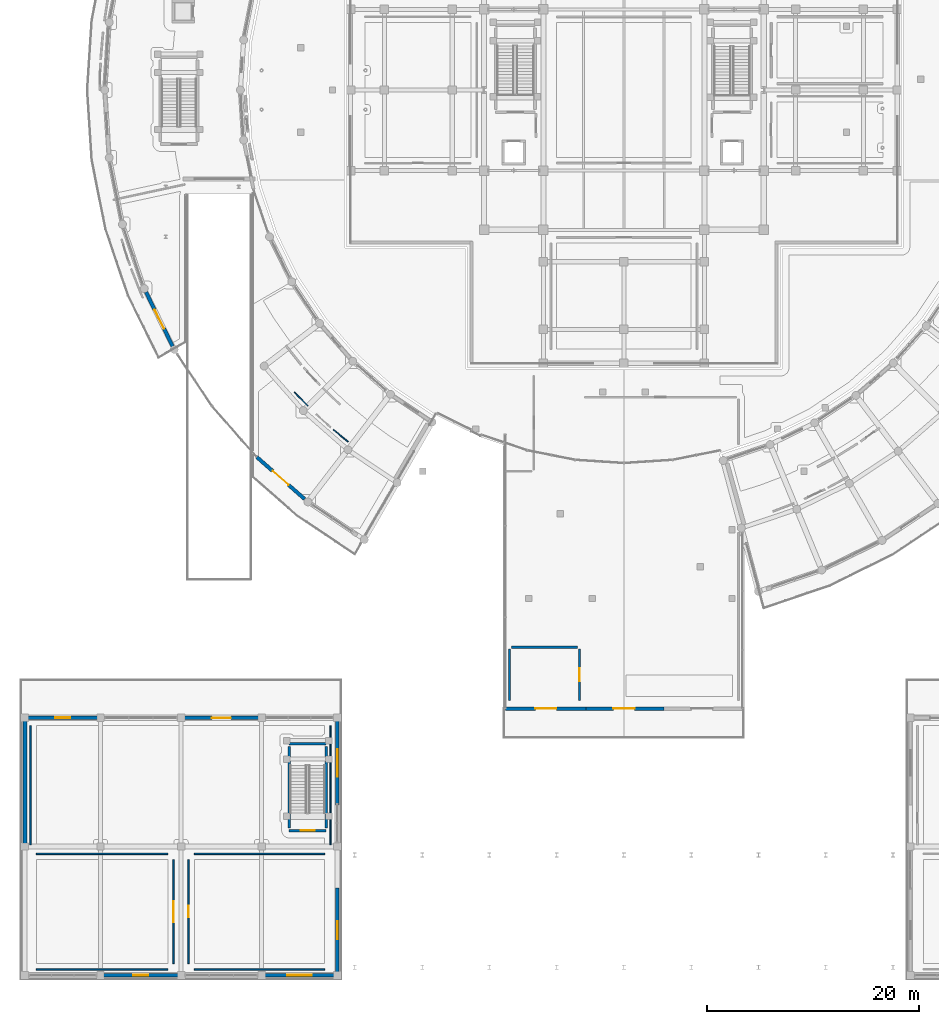
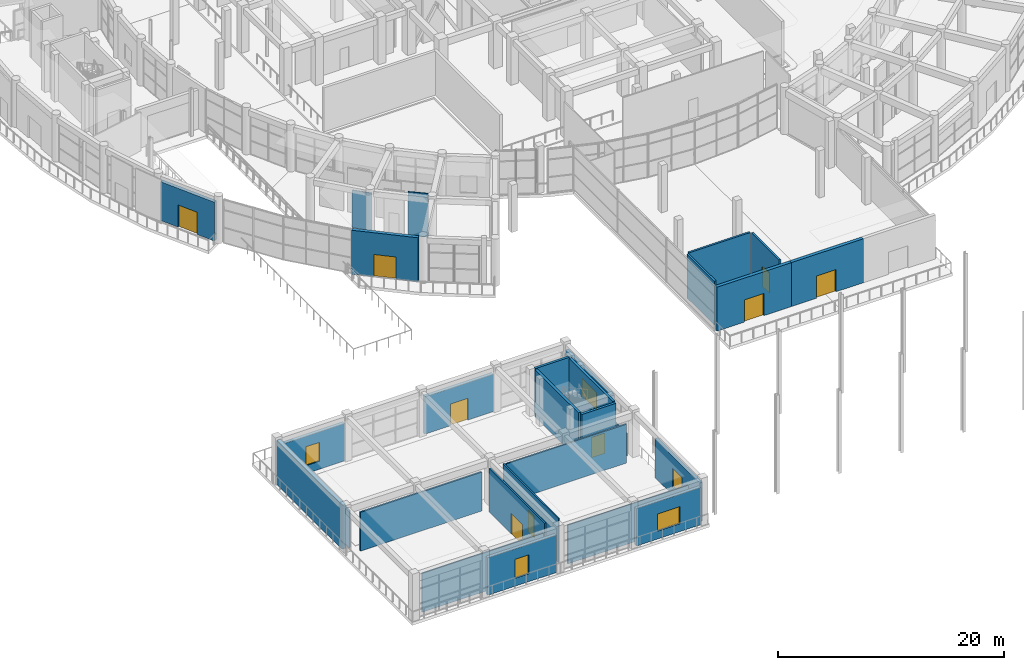
# One storey, part 65 of 99: 28 walls, 9 doors, 5 windows, 14 openings.
"""IFC4 building model written with IfcOpenShell, lengths in metres."""

import ifcopenshell
import ifcopenshell.guid

model = None  # the IFC model being written
_history = None  # IfcOwnerHistory: only IFC2X3 demands one
_inside = {}  # id of a spatial element -> (the spatial element, [elements in it])
_under = {}  # id of a project, library or spatial element -> (it, [spatial elements below it])
_declared = {}  # id of a project -> (the project, [libraries it declares])
_typed = {}  # id of a type object -> (the type object, [elements of that type])
_made_of = {}  # id of a material, layer set ... -> (it, [elements and type objects made of it])


def new_model(schema):
    """Start an empty IFC model of exactly this schema.

    Asked for "IFC4X3", IfcOpenShell would pick the latest addendum, in which some entities
    have other attributes; the version numbers below select the first issue.
    IFC2X3 requires an IfcOwnerHistory on every rooted entity: one is made here for all.
    """
    global model, _history
    if schema == "IFC4X3":
        model = ifcopenshell.file(schema_version=(4, 3, 0, 0))
    else:
        model = ifcopenshell.file(schema=schema)
    _inside.clear()
    _under.clear()
    _declared.clear()
    _typed.clear()
    _made_of.clear()
    _history = None
    if model.schema == "IFC2X3":
        org = make("IfcOrganization", Name="unknown")
        user = make(
            "IfcPersonAndOrganization",
            ThePerson=make("IfcPerson", FamilyName="unknown"),
            TheOrganization=org,
        )
        app = make(
            "IfcApplication",
            ApplicationDeveloper=org,
            Version="unknown",
            ApplicationFullName="unknown",
            ApplicationIdentifier="unknown",
        )
        _history = make(
            "IfcOwnerHistory",
            OwningUser=user,
            OwningApplication=app,
            ChangeAction="ADDED",
            CreationDate=0,
        )
    return model


def make(cls, **values):
    """One entity of the class cls with the attributes given. An attribute that is None is left unset."""
    return model.create_entity(
        cls, **{name: value for name, value in values.items() if value is not None}
    )


def rooted(cls, **values):
    """An entity with a GlobalId (a new one), such as an element, a storey or a relation."""
    return make(cls, GlobalId=ifcopenshell.guid.new(), OwnerHistory=_history, **values)


def si_unit(unit_type, name, prefix=None):
    """IfcSIUnit, for example si_unit("LENGTHUNIT", "METRE", prefix="MILLI")."""
    return make("IfcSIUnit", UnitType=unit_type, Prefix=prefix, Name=name)


def assignment(units):
    """IfcUnitAssignment: the units of a project."""
    return None if units is None else make("IfcUnitAssignment", Units=units)


def point(xyz):
    """IfcCartesianPoint."""
    return None if xyz is None else make("IfcCartesianPoint", Coordinates=xyz)


def direction(xyz):
    """IfcDirection."""
    return None if xyz is None else make("IfcDirection", DirectionRatios=xyz)


def frame(location, z_axis=None, x_axis=None):
    """IfcAxis2Placement3D, a coordinate frame: its origin and axes. An axis left out is left unset."""
    return make(
        "IfcAxis2Placement3D",
        Location=point(location),
        Axis=direction(z_axis),
        RefDirection=direction(x_axis),
    )


def frame_2d(location, x_axis=None):
    """IfcAxis2Placement2D, a coordinate frame in the plane: its origin and x axis."""
    return make(
        "IfcAxis2Placement2D", Location=point(location), RefDirection=direction(x_axis)
    )


def origin():
    """The frame at (0, 0, 0) with its axes left unset."""
    return frame((0.0, 0.0, 0.0))


def place(relative_to, where):
    """IfcLocalPlacement: puts the frame where relative to a parent placement (None: the world)."""
    return make(
        "IfcLocalPlacement", PlacementRelTo=relative_to, RelativePlacement=where
    )


def context(
    kind, dimensions, precision=None, world=None, true_north=None, identifier=None
):
    """IfcGeometricRepresentationContext, for example the 3D "Model" context."""
    return make(
        "IfcGeometricRepresentationContext",
        ContextIdentifier=identifier,
        ContextType=kind,
        CoordinateSpaceDimension=dimensions,
        Precision=precision,
        WorldCoordinateSystem=world,
        TrueNorth=true_north,
    )


def subcontext(parent, identifier, kind, view, scale=None):
    """IfcGeometricRepresentationSubContext, for example "Body" below "Model"."""
    return make(
        "IfcGeometricRepresentationSubContext",
        ContextIdentifier=identifier,
        ContextType=kind,
        ParentContext=parent,
        TargetScale=scale,
        TargetView=view,
    )


def project(units=None, contexts=None):
    """IfcProject with its units and contexts."""
    return rooted(
        "IfcProject",
        Name="project",
        RepresentationContexts=contexts,
        UnitsInContext=assignment(units),
    )


def spatial(cls, under=None, at=None, **own):
    """A site, building, storey or space (cls), placed at a placement, below another one or the project."""
    s = rooted(cls, ObjectPlacement=at, **own)
    if under is not None:
        _under.setdefault(under.id(), (under, []))[1].append(s)
    return s


def profile(cls, at=None, kind="AREA", **sizes):
    """A parametric profile (cls). Its sizes go by their IFC names, for example OverallWidth=200.0."""
    return make(cls, ProfileType=kind, Position=at, **sizes)


def rectangle(**sizes):
    """IfcRectangleProfileDef."""
    return profile("IfcRectangleProfileDef", **sizes)


def extrude(swept, where, along, depth):
    """IfcExtrudedAreaSolid: the profile swept, set in the frame where, extruded along a direction by depth."""
    return make(
        "IfcExtrudedAreaSolid",
        SweptArea=swept,
        Position=where,
        ExtrudedDirection=direction(along),
        Depth=depth,
    )


def shape(context_of_items, identifier, shape_type, items):
    """IfcShapeRepresentation: the items that make up one representation, for example the "Body"."""
    return make(
        "IfcShapeRepresentation",
        ContextOfItems=context_of_items,
        RepresentationIdentifier=identifier,
        RepresentationType=shape_type,
        Items=items,
    )


def material(Name=None, Category=None):
    """IfcMaterial."""
    return make("IfcMaterial", Name=Name, Category=Category)


def layer(
    of_material, thickness, ventilated=None, Name=None, Category=None, Priority=None
):
    """IfcMaterialLayer: one layer of a wall or slab, of a material (None: an air gap)."""
    return make(
        "IfcMaterialLayer",
        Material=of_material,
        LayerThickness=thickness,
        IsVentilated=ventilated,
        Name=Name,
        Category=Category,
        Priority=Priority,
    )


def layer_set(layers, Name=None):
    """IfcMaterialLayerSet."""
    return make("IfcMaterialLayerSet", MaterialLayers=layers, LayerSetName=Name)


def made_of(thing, what):
    """Note that an element or type object is made of a material, layer set ...; save() writes the relation."""
    if what is not None:
        _made_of.setdefault(what.id(), (what, []))[1].append(thing)
    return thing


def type_object(cls, material=None, **own):
    """A type object (cls), such as IfcWallType, which elements share."""
    return made_of(rooted(cls, **own), material)


def element(
    cls,
    number,
    at=None,
    inside=None,
    cuts=None,
    type_object=None,
    material=None,
    context=None,
    identifier="Body",
    shape_type=None,
    held_by="IfcProductDefinitionShape",
    body=None,
    shapes=None,
    **own,
):
    """One element of the class cls, such as IfcWall. Its Tag is "e" and its number.

    at: its placement. inside: the storey or other place that contains it. cuts: it is an
    opening in that element (IfcRelVoidsElement). A single representation is given by context,
    identifier, shape_type and body (its items); several are given by shapes. held_by: the class
    of the entity that holds the representations. save() writes the other relations.
    """
    e = rooted(cls, Tag="e%d" % number, ObjectPlacement=at, **own)
    if body is not None:
        shapes = [shape(context, identifier, shape_type, body)]
    if shapes is not None:
        e.Representation = make(held_by, Representations=shapes)
    if inside is not None:
        _inside.setdefault(inside.id(), (inside, []))[1].append(e)
    if cuts is not None:
        rooted(
            "IfcRelVoidsElement", RelatingBuildingElement=cuts, RelatedOpeningElement=e
        )
    if type_object is not None:
        _typed.setdefault(type_object.id(), (type_object, []))[1].append(e)
    return made_of(e, material)


def fill(opening, filler):
    """IfcRelFillsElement: the door or window that sits in an opening."""
    return rooted(
        "IfcRelFillsElement",
        RelatingOpeningElement=opening,
        RelatedBuildingElement=filler,
    )


def aggregate(whole, parts):
    """IfcRelAggregates: a whole, such as a stair, and the parts it consists of."""
    return rooted("IfcRelAggregates", RelatingObject=whole, RelatedObjects=parts)


def save(model, path):
    """Write the relations noted so far, then the file.

    IfcRelAggregates (storeys below a building ...), IfcRelContainedInSpatialStructure (elements
    in a storey), IfcRelDefinesByType, IfcRelAssociatesMaterial and IfcRelDeclares: one each for
    every whole, place, type object, material and project.
    """
    for whole, parts in _under.values():
        aggregate(whole, parts)
    for where, things in _inside.values():
        rooted(
            "IfcRelContainedInSpatialStructure",
            RelatedElements=things,
            RelatingStructure=where,
        )
    for kind, things in _typed.values():
        rooted("IfcRelDefinesByType", RelatedObjects=things, RelatingType=kind)
    for what, things in _made_of.values():
        rooted("IfcRelAssociatesMaterial", RelatedObjects=things, RelatingMaterial=what)
    for by, libraries in _declared.values():
        rooted("IfcRelDeclares", RelatingContext=by, RelatedDefinitions=libraries)
    model.write(path)


model = new_model("IFC4")

# Units and contexts
model_context = context("Model", 3, precision=1e-05, world=origin(), true_north=direction((0.0, 1.0)))
body_context = subcontext(model_context, "Body", "Model", "MODEL_VIEW")
ifc_project = project(units=[si_unit("LENGTHUNIT", "METRE"), si_unit("AREAUNIT", "SQUARE_METRE"), si_unit("VOLUMEUNIT", "CUBIC_METRE"), si_unit("PLANEANGLEUNIT", "RADIAN"), si_unit("MASSUNIT", "GRAM", prefix="KILO")], contexts=[model_context])

# Site, building, storey
site_placement = place(None, origin())
site = spatial("IfcSite", under=ifc_project, at=site_placement, CompositionType="ELEMENT")
building_placement = place(site_placement, origin())
building = spatial("IfcBuilding", under=site, at=building_placement, Name="Saryqyr Civic Hall", CompositionType="ELEMENT")
storey_placement = place(building_placement, origin())
storey = spatial("IfcBuildingStorey", under=building, at=storey_placement, Name="L00", CompositionType="ELEMENT", Elevation=0.0)

# Wall, opening, window
ifc_material_1 = material(Name="Precast concrete C40/50", Category="concrete")
ifc_layer_1 = layer(ifc_material_1, 0.31005859375, Name="Precast concrete C40/50")
ifc_layer_set_1 = layer_set([ifc_layer_1], Name="Precast concrete C40/50")
wall_type_1 = type_object("IfcWallType", Name="ENV-WAL-EXT-310", PredefinedType="STANDARD", material=ifc_layer_set_1)
wall_1_placement = place(storey_placement, frame((29.6650390625, 0.449951171875, 0.0), z_axis=(0.0, 0.0, 1.0), x_axis=(-1.0, 0.0, 0.0)))
wall_1 = element("IfcWall", 1, at=wall_1_placement, inside=storey, type_object=wall_type_1, Name="Exterior wall V7W-EW-L00-0-0", PredefinedType="STANDARD", context=body_context, shape_type="SweptSolid", body=[
    extrude(rectangle(XDim=6.580078125, YDim=0.31005859375, at=frame_2d((3.2900390625, 0.0))), origin(), (0.0, 0.0, 1.0), 4.044921875),
])
opening_1_placement = place(wall_1_placement, frame((2.139892578125, 0.0, 0.85009765625)))
opening_1 = element("IfcOpeningElement", 2, at=opening_1_placement, cuts=wall_1, Name="Opening W-29", PredefinedType="OPENING", context=body_context, shape_type="SweptSolid", body=[
    extrude(rectangle(XDim=2.300048828125, YDim=1.85009765625, at=frame_2d((1.14990234375, 0.925048828125))), frame((0.0, 0.1650390625, 0.0), z_axis=(0.0, -1.0, 0.0), x_axis=(1.0, 0.0, 0.0)), (0.0, 0.0, 1.0), 0.330078125),
])
ifc_material_2 = material(Name="Anodised aluminium and triple low-E glass", Category="aluminium")
window_type_1 = type_object("IfcWindowType", Name="ENV-WIN-W29", PartitioningType="SINGLE_PANEL", PredefinedType="WINDOW", material=ifc_material_2)
window_1_placement = place(opening_1_placement, origin())
window_1 = element("IfcWindow", 3, at=window_1_placement, inside=storey, type_object=window_type_1, Name="Gatehouse window W-L00-0-0", OverallHeight=1.85009765625, OverallWidth=2.300048828125, PartitioningType="SINGLE_PANEL", PredefinedType="WINDOW", context=body_context, shape_type="SweptSolid", body=[
    extrude(rectangle(XDim=2.300048828125, YDim=1.85009765625, at=frame_2d((1.14990234375, 0.925048828125))), frame((0.0, 0.030029296875, 0.0), z_axis=(0.0, -1.0, 0.0), x_axis=(1.0, 0.0, 0.0)), (0.0, 0.0, 1.0), 0.06005859375),
])
fill(opening_1, window_1)

wall_2_placement = place(storey_placement, frame((14.9150390625, 0.449951171875, 0.0), z_axis=(0.0, 0.0, 1.0), x_axis=(-1.0, 0.0, 0.0)))
wall_2 = element("IfcWall", 4, at=wall_2_placement, inside=storey, type_object=wall_type_1, Name="Exterior wall V7W-EW-L00-0-2", PredefinedType="STANDARD", context=body_context, shape_type="SweptSolid", body=[
    extrude(rectangle(XDim=7.030029296875, YDim=0.31005859375, at=frame_2d((3.51513671875, 0.0))), origin(), (0.0, 0.0, 1.0), 4.044921875),
])
opening_2_placement = place(wall_2_placement, frame((2.81494140625, 0.0, 0.85009765625)))
opening_2 = element("IfcOpeningElement", 5, at=opening_2_placement, cuts=wall_2, Name="Opening W-31", PredefinedType="OPENING", context=body_context, shape_type="SweptSolid", body=[
    extrude(rectangle(XDim=1.39990234375, YDim=2.050048828125, at=frame_2d((0.699951171875, 1.02490234375))), frame((0.0, 0.1650390625, 0.0), z_axis=(0.0, -1.0, 0.0), x_axis=(1.0, 0.0, 0.0)), (0.0, 0.0, 1.0), 0.330078125),
])
window_type_2 = type_object("IfcWindowType", Name="ENV-WIN-W31", PartitioningType="SINGLE_PANEL", PredefinedType="WINDOW", material=ifc_material_2)
window_2_placement = place(opening_2_placement, origin())
window_2 = element("IfcWindow", 6, at=window_2_placement, inside=storey, type_object=window_type_2, Name="Gatehouse window W-L00-0-2", OverallHeight=2.050048828125, OverallWidth=1.39990234375, PartitioningType="SINGLE_PANEL", PredefinedType="WINDOW", context=body_context, shape_type="SweptSolid", body=[
    extrude(rectangle(XDim=1.39990234375, YDim=2.050048828125, at=frame_2d((0.699951171875, 1.02490234375))), frame((0.0, 0.030029296875, 0.0), z_axis=(0.0, -1.0, 0.0), x_axis=(1.0, 0.0, 0.0)), (0.0, 0.0, 1.0), 0.06005859375),
])
fill(opening_2, window_2)

wall_3_placement = place(storey_placement, frame((29.949951171875, 24.465087890625, 0.0), z_axis=(0.0, 0.0, 1.0), x_axis=(0.0, -1.0, 0.0)))
wall_3 = element("IfcWall", 7, at=wall_3_placement, inside=storey, type_object=wall_type_1, Name="Exterior wall V7W-EW-L00-1-0", PredefinedType="STANDARD", context=body_context, shape_type="SweptSolid", body=[
    extrude(rectangle(XDim=7.93505859375, YDim=0.31005859375, at=frame_2d((3.967529296875, 0.0))), origin(), (0.0, 0.0, 1.0), 4.195068359375),
])
opening_3_placement = place(wall_3_placement, frame((2.6669921875, 0.0, 0.85009765625)))
opening_3 = element("IfcOpeningElement", 8, at=opening_3_placement, cuts=wall_3, Name="Opening W-30", PredefinedType="OPENING", context=body_context, shape_type="SweptSolid", body=[
    extrude(rectangle(XDim=2.60009765625, YDim=1.85009765625, at=frame_2d((1.300048828125, 0.925048828125))), frame((0.0, 0.1650390625, 0.0), z_axis=(0.0, -1.0, 0.0), x_axis=(1.0, 0.0, 0.0)), (0.0, 0.0, 1.0), 0.330078125),
])
window_type_3 = type_object("IfcWindowType", Name="ENV-WIN-W30", PartitioningType="SINGLE_PANEL", PredefinedType="WINDOW", material=ifc_material_2)
window_3_placement = place(opening_3_placement, origin())
window_3 = element("IfcWindow", 9, at=window_3_placement, inside=storey, type_object=window_type_3, Name="Gatehouse window W-L00-1-0", OverallHeight=1.85009765625, OverallWidth=2.60009765625, PartitioningType="SINGLE_PANEL", PredefinedType="WINDOW", context=body_context, shape_type="SweptSolid", body=[
    extrude(rectangle(XDim=2.60009765625, YDim=1.85009765625, at=frame_2d((1.300048828125, 0.925048828125))), frame((0.0, 0.030029296875, 0.0), z_axis=(0.0, -1.0, 0.0), x_axis=(1.0, 0.0, 0.0)), (0.0, 0.0, 1.0), 0.06005859375),
])
fill(opening_3, window_3)

wall_4_placement = place(storey_placement, frame((29.949951171875, 8.669921875, 0.0), z_axis=(0.0, 0.0, 1.0), x_axis=(0.0, -1.0, 0.0)))
wall_4 = element("IfcWall", 10, at=wall_4_placement, inside=storey, type_object=wall_type_1, Name="Exterior wall V7W-EW-L00-1-2", PredefinedType="STANDARD", context=body_context, shape_type="SweptSolid", body=[
    extrude(rectangle(XDim=7.934814453125, YDim=0.31005859375, at=frame_2d((3.96728515625, 0.0))), origin(), (0.0, 0.0, 1.0), 4.195068359375),
])
opening_4_placement = place(wall_4_placement, frame((3.116943359375, 0.0, 0.85009765625)))
opening_4 = element("IfcOpeningElement", 11, at=opening_4_placement, cuts=wall_4, Name="Opening W-32", PredefinedType="OPENING", context=body_context, shape_type="SweptSolid", body=[
    extrude(rectangle(XDim=1.699951171875, YDim=2.050048828125, at=frame_2d((0.85009765625, 1.02490234375))), frame((0.0, 0.1650390625, 0.0), z_axis=(0.0, -1.0, 0.0), x_axis=(1.0, 0.0, 0.0)), (0.0, 0.0, 1.0), 0.330078125),
])
window_type_4 = type_object("IfcWindowType", Name="ENV-WIN-W32", PartitioningType="SINGLE_PANEL", PredefinedType="WINDOW", material=ifc_material_2)
window_4_placement = place(opening_4_placement, origin())
window_4 = element("IfcWindow", 12, at=window_4_placement, inside=storey, type_object=window_type_4, Name="Gatehouse window W-L00-1-2", OverallHeight=2.050048828125, OverallWidth=1.699951171875, PartitioningType="SINGLE_PANEL", PredefinedType="WINDOW", context=body_context, shape_type="SweptSolid", body=[
    extrude(rectangle(XDim=1.699951171875, YDim=2.050048828125, at=frame_2d((0.85009765625, 1.02490234375))), frame((0.0, 0.030029296875, 0.0), z_axis=(0.0, -1.0, 0.0), x_axis=(1.0, 0.0, 0.0)), (0.0, 0.0, 1.0), 0.06005859375),
])
fill(opening_4, window_4)

wall_5_placement = place(storey_placement, frame((0.735107421875, 24.75, 0.0), z_axis=(0.0, 0.0, 1.0), x_axis=(1.0, 0.0, 0.0)))
wall_5 = element("IfcWall", 13, at=wall_5_placement, inside=storey, type_object=wall_type_1, Name="Exterior wall V7W-EW-L00-2-0", PredefinedType="STANDARD", context=body_context, shape_type="SweptSolid", body=[
    extrude(rectangle(XDim=6.579833984375, YDim=0.31005859375, at=frame_2d((3.2900390625, 0.0))), origin(), (0.0, 0.0, 1.0), 4.044921875),
])
opening_5_placement = place(wall_5_placement, frame((2.590087890625, 0.0, 0.85009765625)))
opening_5 = element("IfcOpeningElement", 14, at=opening_5_placement, cuts=wall_5, Name="Opening W-31", PredefinedType="OPENING", context=body_context, shape_type="SweptSolid", body=[
    extrude(rectangle(XDim=1.39990234375, YDim=2.050048828125, at=frame_2d((0.699951171875, 1.02490234375))), frame((0.0, 0.1650390625, 0.0), z_axis=(0.0, -1.0, 0.0), x_axis=(1.0, 0.0, 0.0)), (0.0, 0.0, 1.0), 0.330078125),
])
window_5_placement = place(opening_5_placement, origin())
window_5 = element("IfcWindow", 15, at=window_5_placement, inside=storey, type_object=window_type_2, Name="Gatehouse window W-L00-2-0", OverallHeight=2.050048828125, OverallWidth=1.39990234375, PartitioningType="SINGLE_PANEL", PredefinedType="WINDOW", context=body_context, shape_type="SweptSolid", body=[
    extrude(rectangle(XDim=1.39990234375, YDim=2.050048828125, at=frame_2d((0.699951171875, 1.02490234375))), frame((0.0, 0.030029296875, 0.0), z_axis=(0.0, -1.0, 0.0), x_axis=(1.0, 0.0, 0.0)), (0.0, 0.0, 1.0), 0.06005859375),
])
fill(opening_5, window_5)

# Wall, opening, door
wall_6_placement = place(storey_placement, frame((15.485107421875, 24.75, 0.0), z_axis=(0.0, 0.0, 1.0), x_axis=(1.0, 0.0, 0.0)))
wall_6 = element("IfcWall", 16, at=wall_6_placement, inside=storey, type_object=wall_type_1, Name="Exterior wall V7W-EW-L00-2-2", PredefinedType="STANDARD", context=body_context, shape_type="SweptSolid", body=[
    extrude(rectangle(XDim=7.02978515625, YDim=0.31005859375, at=frame_2d((3.514892578125, 0.0))), origin(), (0.0, 0.0, 1.0), 4.044921875),
])
opening_6_placement = place(wall_6_placement, frame((2.614990234375, 0.0, 0.0)))
opening_6 = element("IfcOpeningElement", 17, at=opening_6_placement, cuts=wall_6, Name="Opening ED-B", PredefinedType="OPENING", context=body_context, shape_type="SweptSolid", body=[
    extrude(rectangle(XDim=1.800048828125, YDim=2.35009765625, at=frame_2d((0.89990234375, 1.175048828125))), frame((0.0, 0.1650390625, 0.0), z_axis=(0.0, -1.0, 0.0), x_axis=(1.0, 0.0, 0.0)), (0.0, 0.0, 1.0), 0.330078125),
])
ifc_material_3 = material(Name="Thermally broken painted galvanized steel", Category="steel")
door_type_1 = type_object("IfcDoorType", Name="ENV-DR-EXIT-1800x2350", OperationType="NOTDEFINED", PredefinedType="DOOR", material=ifc_material_3)
door_1_placement = place(opening_6_placement, origin())
door_1 = element("IfcDoor", 18, at=door_1_placement, inside=storey, type_object=door_type_1, Name="Pedestrian Final Exit Door Boulevard W", OperationType="DOUBLE_DOOR_SINGLE_SWING", OverallHeight=2.35009765625, OverallWidth=1.800048828125, PredefinedType="DOOR", context=body_context, shape_type="SweptSolid", body=[
    extrude(rectangle(XDim=1.800048828125, YDim=2.35009765625, at=frame_2d((0.89990234375, 1.175048828125))), frame((0.0, 0.02490234375, 0.0), z_axis=(0.0, -1.0, 0.0), x_axis=(1.0, 0.0, 0.0)), (0.0, 0.0, 1.0), 0.050048828125),
])
fill(opening_6, door_1)

ifc_layer_2 = layer(ifc_material_1, 0.340087890625, Name="Precast concrete C40/50")
ifc_layer_set_2 = layer_set([ifc_layer_2], Name="Precast concrete C40/50")
wall_type_2 = type_object("IfcWallType", Name="ENV-WAL-EXT-340", PredefinedType="STANDARD", material=ifc_layer_set_2)
wall_7_placement = place(storey_placement, frame((14.411865234375, 59.81005859375, 0.0), z_axis=(0.0, 0.0, 1.0), x_axis=(-0.442288249958, 0.896872958645, 0.0)))
wall_7 = element("IfcWall", 19, at=wall_7_placement, inside=storey, type_object=wall_type_2, Name="Exterior wall V4-EWO-L00-05", PredefinedType="STANDARD", context=body_context, shape_type="SweptSolid", body=[
    extrude(rectangle(XDim=5.718017578125, YDim=0.340087890625, at=frame_2d((2.85888671875, 0.0))), origin(), (0.0, 0.0, 1.0), 4.195068359375),
])
opening_7_placement = place(wall_7_placement, frame((1.85888671875, 0.0, 0.0)))
opening_7 = element("IfcOpeningElement", 20, at=opening_7_placement, cuts=wall_7, Name="Opening ED-A", PredefinedType="OPENING", context=body_context, shape_type="SweptSolid", body=[
    extrude(rectangle(XDim=2.0, YDim=2.39990234375, at=frame_2d((1.0, 1.199951171875))), frame((0.0, 0.179931640625, 0.0), z_axis=(0.0, -1.0, 0.0), x_axis=(1.0, 0.0, 0.0)), (0.0, 0.0, 1.0), 0.360107421875),
])
door_type_2 = type_object("IfcDoorType", Name="ENV-DR-EXIT-2000x2400", OperationType="NOTDEFINED", PredefinedType="DOOR", material=ifc_material_3)
door_2_placement = place(opening_7_placement, origin())
door_2 = element("IfcDoor", 21, at=door_2_placement, inside=storey, type_object=door_type_2, Name="Pedestrian Final Exit Door V4-05", OperationType="DOUBLE_DOOR_SINGLE_SWING", OverallHeight=2.39990234375, OverallWidth=2.0, PredefinedType="DOOR", context=body_context, shape_type="SweptSolid", body=[
    extrude(rectangle(XDim=2.0, YDim=2.39990234375, at=frame_2d((1.0, 1.199951171875))), frame((0.0, 0.02490234375, 0.0), z_axis=(0.0, -1.0, 0.0), x_axis=(1.0, 0.0, 0.0)), (0.0, 0.0, 1.0), 0.050048828125),
])
fill(opening_7, door_2)

wall_8_placement = place(storey_placement, frame((26.860595703125, 45.397705078125, 0.0), z_axis=(0.0, 0.0, 1.0), x_axis=(-0.751839834089, 0.659345784757, 0.0)))
wall_8 = element("IfcWall", 22, at=wall_8_placement, inside=storey, type_object=wall_type_2, Name="Exterior wall V4-EWO-L00-08", PredefinedType="STANDARD", context=body_context, shape_type="SweptSolid", body=[
    extrude(rectangle(XDim=5.9970703125, YDim=0.340087890625, at=frame_2d((2.99853515625, 0.0))), origin(), (0.0, 0.0, 1.0), 4.75),
])
opening_8_placement = place(wall_8_placement, frame((1.9990234375, 0.0, 0.0)))
opening_8 = element("IfcOpeningElement", 23, at=opening_8_placement, cuts=wall_8, Name="Opening ED-A", PredefinedType="OPENING", context=body_context, shape_type="SweptSolid", body=[
    extrude(rectangle(XDim=2.0, YDim=2.39990234375, at=frame_2d((1.0, 1.199951171875))), frame((0.0, 0.179931640625, 0.0), z_axis=(0.0, -1.0, 0.0), x_axis=(1.0, 0.0, 0.0)), (0.0, 0.0, 1.0), 0.360107421875),
])
door_3_placement = place(opening_8_placement, origin())
door_3 = element("IfcDoor", 24, at=door_3_placement, inside=storey, type_object=door_type_2, Name="Pedestrian Final Exit Door V4-08", OperationType="DOUBLE_DOOR_SINGLE_SWING", OverallHeight=2.39990234375, OverallWidth=2.0, PredefinedType="DOOR", context=body_context, shape_type="SweptSolid", body=[
    extrude(rectangle(XDim=2.0, YDim=2.39990234375, at=frame_2d((1.0, 1.199951171875))), frame((0.0, 0.02490234375, 0.0), z_axis=(0.0, -1.0, 0.0), x_axis=(1.0, 0.0, 0.0)), (0.0, 0.0, 1.0), 0.050048828125),
])
fill(opening_8, door_3)

wall_9_placement = place(storey_placement, frame((53.436767578125, 25.610107421875, 0.0), z_axis=(0.0, 0.0, 1.0), x_axis=(-1.0, 0.0, 0.0)))
wall_9 = element("IfcWall", 25, at=wall_9_placement, inside=storey, type_object=wall_type_2, Name="Exterior wall V2-PORTAL-S-0", PredefinedType="STANDARD", context=body_context, shape_type="SweptSolid", body=[
    extrude(rectangle(XDim=7.606689453125, YDim=0.340087890625, at=frame_2d((3.80322265625, 0.0))), origin(), (0.0, 0.0, 1.0), 4.75),
])
opening_9_placement = place(wall_9_placement, frame((2.802978515625, 0.0, 0.0)))
opening_9 = element("IfcOpeningElement", 26, at=opening_9_placement, cuts=wall_9, Name="Opening ED-A", PredefinedType="OPENING", context=body_context, shape_type="SweptSolid", body=[
    extrude(rectangle(XDim=2.0, YDim=2.39990234375, at=frame_2d((1.0, 1.199951171875))), frame((0.0, 0.179931640625, 0.0), z_axis=(0.0, -1.0, 0.0), x_axis=(1.0, 0.0, 0.0)), (0.0, 0.0, 1.0), 0.360107421875),
])
door_4_placement = place(opening_9_placement, origin())
door_4 = element("IfcDoor", 27, at=door_4_placement, inside=storey, type_object=door_type_2, Name="Pedestrian Main Entrance Final Exit S-1", OperationType="DOUBLE_DOOR_SINGLE_SWING", OverallHeight=2.39990234375, OverallWidth=2.0, PredefinedType="DOOR", context=body_context, shape_type="SweptSolid", body=[
    extrude(rectangle(XDim=2.0, YDim=2.39990234375, at=frame_2d((1.0, 1.199951171875))), frame((0.0, 0.02490234375, 0.0), z_axis=(0.0, -1.0, 0.0), x_axis=(1.0, 0.0, 0.0)), (0.0, 0.0, 1.0), 0.050048828125),
])
fill(opening_9, door_4)

wall_10_placement = place(storey_placement, frame((60.80322265625, 25.610107421875, 0.0), z_axis=(0.0, 0.0, 1.0), x_axis=(-1.0, 0.0, 0.0)))
wall_10 = element("IfcWall", 28, at=wall_10_placement, inside=storey, type_object=wall_type_2, Name="Exterior wall V2-PORTAL-S", PredefinedType="STANDARD", context=body_context, shape_type="SweptSolid", body=[
    extrude(rectangle(XDim=7.6064453125, YDim=0.340087890625, at=frame_2d((3.80322265625, 0.0))), origin(), (0.0, 0.0, 1.0), 4.75),
])
opening_10_placement = place(wall_10_placement, frame((2.802978515625, 0.0, 0.0)))
opening_10 = element("IfcOpeningElement", 29, at=opening_10_placement, cuts=wall_10, Name="Opening ED-A", PredefinedType="OPENING", context=body_context, shape_type="SweptSolid", body=[
    extrude(rectangle(XDim=2.0, YDim=2.39990234375, at=frame_2d((1.0, 1.199951171875))), frame((0.0, 0.179931640625, 0.0), z_axis=(0.0, -1.0, 0.0), x_axis=(1.0, 0.0, 0.0)), (0.0, 0.0, 1.0), 0.360107421875),
])
door_5_placement = place(opening_10_placement, origin())
door_5 = element("IfcDoor", 30, at=door_5_placement, inside=storey, type_object=door_type_2, Name="Pedestrian Main Entrance Final Exit S-2", OperationType="DOUBLE_DOOR_SINGLE_SWING", OverallHeight=2.39990234375, OverallWidth=2.0, PredefinedType="DOOR", context=body_context, shape_type="SweptSolid", body=[
    extrude(rectangle(XDim=2.0, YDim=2.39990234375, at=frame_2d((1.0, 1.199951171875))), frame((0.0, 0.02490234375, 0.0), z_axis=(0.0, -1.0, 0.0), x_axis=(1.0, 0.0, 0.0)), (0.0, 0.0, 1.0), 0.050048828125),
])
fill(opening_10, door_5)

# Wall
ifc_material_4 = material(Name="Concrete C40/50", Category="concrete")
ifc_layer_3 = layer(ifc_material_4, 0.3798828125, Name="Concrete C40/50")
ifc_layer_set_3 = layer_set([ifc_layer_3], Name="Concrete C40/50")
wall_type_3 = type_object("IfcWallType", Name="ENV-WAL-PTY-380", PredefinedType="SHEAR", material=ifc_layer_set_3)
wall_11_placement = place(storey_placement, frame((0.449951171875, 12.885009765625, 0.0), z_axis=(0.0, 0.0, 1.0), x_axis=(0.0, 1.0, 0.0)))
element("IfcWall", 31, at=wall_11_placement, inside=storey, type_object=wall_type_3, Name="Exterior wall V7W-PTY-L00", PredefinedType="SHEAR", context=body_context, shape_type="SweptSolid", body=[
    extrude(rectangle(XDim=11.580078125, YDim=0.3798828125, at=frame_2d((5.7900390625, 0.0))), origin(), (0.0, 0.0, 1.0), 4.75),
])

# Wall, opening, door
ifc_material_5 = material(Name="Autoclaved aerated concrete blockwork", Category="masonry")
ifc_layer_4 = layer(ifc_material_5, 0.199951171875, Name="Autoclaved aerated concrete blockwork")
ifc_layer_set_4 = layer_set([ifc_layer_4], Name="Autoclaved aerated concrete blockwork")
wall_type_4 = type_object("IfcWallType", Name="INT-WAL-FIR-200", PredefinedType="PARTITIONING", material=ifc_layer_set_4)
wall_12_placement = place(storey_placement, frame((52.800048828125, 31.219970703125, 0.0), z_axis=(0.0, 0.0, 1.0), x_axis=(0.0, -1.0, 0.0)))
wall_12 = element("IfcWall", 32, at=wall_12_placement, inside=storey, type_object=wall_type_4, Name="Interior partition PRT-SP-V2-L00-FCC-W1", PredefinedType="PARTITIONING", context=body_context, shape_type="SweptSolid", body=[
    extrude(rectangle(XDim=4.840087890625, YDim=0.199951171875, at=frame_2d((2.419921875, 0.0))), origin(), (0.0, 0.0, 1.0), 4.72998046875),
])
opening_11_placement = place(wall_12_placement, frame((1.820068359375, 0.0, 0.0)))
opening_11 = element("IfcOpeningElement", 33, at=opening_11_placement, cuts=wall_12, Name="Opening FD-04", PredefinedType="OPENING", context=body_context, shape_type="SweptSolid", body=[
    extrude(rectangle(XDim=1.199951171875, YDim=2.199951171875, at=frame_2d((0.60009765625, 1.10009765625))), frame((0.0, 0.10986328125, 0.0), z_axis=(0.0, -1.0, 0.0), x_axis=(1.0, 0.0, 0.0)), (0.0, 0.0, 1.0), 0.219970703125),
])
ifc_material_6 = material(Name="Painted galvanized steel", Category="steel")
door_type_3 = type_object("IfcDoorType", Name="INT-DR-FCC-1200x2200", OperationType="NOTDEFINED", PredefinedType="DOOR", material=ifc_material_6)
door_6_placement = place(opening_11_placement, origin())
door_6 = element("IfcDoor", 34, at=door_6_placement, inside=storey, type_object=door_type_3, Name="Interior door Fire Command Centre and BMS Security Hub", OperationType="SINGLE_SWING_RIGHT", OverallHeight=2.199951171875, OverallWidth=1.199951171875, PredefinedType="DOOR", context=body_context, shape_type="SweptSolid", body=[
    extrude(rectangle(XDim=1.199951171875, YDim=2.199951171875, at=frame_2d((0.60009765625, 1.10009765625))), frame((0.0, 0.02490234375, 0.0), z_axis=(0.0, -1.0, 0.0), x_axis=(1.0, 0.0, 0.0)), (0.0, 0.0, 1.0), 0.050048828125),
])
fill(opening_11, door_6)

# Walls
wall_13_placement = place(storey_placement, frame((46.3798828125, 31.39990234375, 0.0), z_axis=(0.0, 0.0, 1.0), x_axis=(1.0, 0.0, 0.0)))
element("IfcWall", 35, at=wall_13_placement, inside=storey, type_object=wall_type_4, Name="Interior partition PRT-SP-V2-L00-FCC-W2", PredefinedType="PARTITIONING", context=body_context, shape_type="SweptSolid", body=[
    extrude(rectangle(XDim=6.240234375, YDim=0.199951171875, at=frame_2d((3.1201171875, 0.0))), origin(), (0.0, 0.0, 1.0), 4.72998046875),
])
wall_14_placement = place(storey_placement, frame((46.199951171875, 26.3798828125, 0.0), z_axis=(0.0, 0.0, 1.0), x_axis=(0.0, 1.0, 0.0)))
element("IfcWall", 36, at=wall_14_placement, inside=storey, type_object=wall_type_4, Name="Interior partition PRT-SP-V2-L00-FCC-W3", PredefinedType="PARTITIONING", context=body_context, shape_type="SweptSolid", body=[
    extrude(rectangle(XDim=4.840087890625, YDim=0.199951171875, at=frame_2d((2.419921875, 0.0))), origin(), (0.0, 0.0, 1.0), 4.72998046875),
])
ifc_material_7 = material(Name="Lightweight demountable partition", Category="gypsum")
ifc_layer_5 = layer(ifc_material_7, 0.094970703125, Name="Lightweight demountable partition")
ifc_layer_set_5 = layer_set([ifc_layer_5], Name="Lightweight demountable partition")
wall_type_5 = type_object("IfcWallType", Name="INT-WAL-PRT-095", PredefinedType="PARTITIONING", material=ifc_layer_set_5)
wall_15_placement = place(storey_placement, frame((29.572021484375, 51.935546875, 0.0), z_axis=(0.0, 0.0, 1.0), x_axis=(0.776544649639, -0.630062224798, 0.0)))
element("IfcWall", 37, at=wall_15_placement, inside=storey, type_object=wall_type_5, Name="Interior partition PRT-SP-V4-L00-R03-W2", PredefinedType="PARTITIONING", context=body_context, shape_type="SweptSolid", body=[
    extrude(rectangle(XDim=1.820068359375, YDim=0.094970703125, at=frame_2d((0.91015625, 0.0))), origin(), (0.0, 0.0, 1.0), 4.72998046875),
])
wall_16_placement = place(storey_placement, frame((25.906005859375, 55.476806640625, 0.0), z_axis=(0.0, 0.0, 1.0), x_axis=(0.694862587072, -0.719142534612, 0.0)))
element("IfcWall", 38, at=wall_16_placement, inside=storey, type_object=wall_type_5, Name="Interior partition PRT-SP-V4-L00-R03-W3", PredefinedType="PARTITIONING", context=body_context, shape_type="SweptSolid", body=[
    extrude(rectangle(XDim=1.820068359375, YDim=0.094970703125, at=frame_2d((0.91015625, 0.0))), origin(), (0.0, 0.0, 1.0), 4.044921875),
])
ifc_material_8 = material(Name="Metal-stud gypsum board partition", Category="gypsum")
ifc_layer_6 = layer(ifc_material_8, 0.125, Name="Metal-stud gypsum board partition")
ifc_layer_set_6 = layer_set([ifc_layer_6], Name="Metal-stud gypsum board partition")
wall_type_6 = type_object("IfcWallType", Name="INT-WAL-PRT-125", PredefinedType="PARTITIONING", material=ifc_layer_set_6)
wall_17_placement = place(storey_placement, frame((29.300048828125, 24.0, 0.0), z_axis=(0.0, 0.0, 1.0), x_axis=(0.0, -1.0, 0.0)))
element("IfcWall", 39, at=wall_17_placement, inside=storey, type_object=wall_type_6, Name="Interior partition PRT-SP-V7W-L00-R03-W1", PredefinedType="PARTITIONING", context=body_context, shape_type="SweptSolid", body=[
    extrude(rectangle(XDim=11.25, YDim=0.125, at=frame_2d((5.625, 0.0))), origin(), (0.0, 0.0, 1.0), 2.449951171875),
])
wall_18_placement = place(storey_placement, frame((1.0, 12.75, 0.0), z_axis=(0.0, 0.0, 1.0), x_axis=(0.0, 1.0, 0.0)))
element("IfcWall", 40, at=wall_18_placement, inside=storey, type_object=wall_type_6, Name="Interior partition PRT-SP-V7W-L00-R03-W2", PredefinedType="PARTITIONING", context=body_context, shape_type="SweptSolid", body=[
    extrude(rectangle(XDim=11.25, YDim=0.125, at=frame_2d((5.625, 0.0))), origin(), (0.0, 0.0, 1.0), 4.044921875),
])

# Wall, opening, door
ifc_layer_7 = layer(ifc_material_8, 0.139892578125, Name="Metal-stud gypsum board partition")
ifc_layer_set_7 = layer_set([ifc_layer_7], Name="Metal-stud gypsum board partition")
wall_type_7 = type_object("IfcWallType", Name="INT-WAL-PRT-140", PredefinedType="PARTITIONING", material=ifc_layer_set_7)
wall_19_placement = place(storey_placement, frame((15.89990234375, 1.550048828125, 0.0), z_axis=(0.0, 0.0, 1.0), x_axis=(0.0, 1.0, 0.0)))
wall_19 = element("IfcWall", 41, at=wall_19_placement, inside=storey, type_object=wall_type_7, Name="Interior partition PRT-SP-V7W-L00-R02-W1", PredefinedType="PARTITIONING", context=body_context, shape_type="SweptSolid", body=[
    extrude(rectangle(XDim=9.800048828125, YDim=0.139892578125, at=frame_2d((4.89990234375, 0.0))), origin(), (0.0, 0.0, 1.0), 4.72998046875),
])
opening_12_placement = place(wall_19_placement, frame((4.35009765625, 0.0, 0.0)))
opening_12 = element("IfcOpeningElement", 42, at=opening_12_placement, cuts=wall_19, Name="Opening D-17", PredefinedType="OPENING", context=body_context, shape_type="SweptSolid", body=[
    extrude(rectangle(XDim=1.10009765625, YDim=2.35009765625, at=frame_2d((0.550048828125, 1.175048828125))), frame((0.0, 0.079833984375, 0.0), z_axis=(0.0, -1.0, 0.0), x_axis=(1.0, 0.0, 0.0)), (0.0, 0.0, 1.0), 0.159912109375),
])
ifc_material_9 = material(Name="Acoustic solid-core oak veneer", Category="wood")
door_type_4 = type_object("IfcDoorType", Name="INT-DR-D-17", OperationType="NOTDEFINED", PredefinedType="DOOR", material=ifc_material_9)
door_7_placement = place(opening_12_placement, origin())
door_7 = element("IfcDoor", 43, at=door_7_placement, inside=storey, type_object=door_type_4, Name="Interior door Public Civic Cafe & Bookshop", OperationType="SINGLE_SWING_RIGHT", OverallHeight=2.35009765625, OverallWidth=1.10009765625, PredefinedType="DOOR", context=body_context, shape_type="SweptSolid", body=[
    extrude(rectangle(XDim=1.10009765625, YDim=2.35009765625, at=frame_2d((0.550048828125, 1.175048828125))), frame((0.0, 0.02490234375, 0.0), z_axis=(0.0, -1.0, 0.0), x_axis=(1.0, 0.0, 0.0)), (0.0, 0.0, 1.0), 0.050048828125),
])
fill(opening_12, door_7)

# Walls
for number, where, z_axis, x_axis, name in (
    (44, (16.449951171875, 11.89990234375, 0.0), (0.0, 0.0, 1.0), (1.0, 0.0, 0.0), "Interior partition PRT-SP-V7W-L00-R02-W2"),
    (45, (28.75, 1.0, 0.0), (0.0, 0.0, 1.0), (-1.0, 0.0, 0.0), "Interior partition PRT-SP-V7W-L00-R02-W3"),
):
    element("IfcWall", number, at=place(storey_placement, frame(where, z_axis=z_axis, x_axis=x_axis)), inside=storey, type_object=wall_type_7, Name=name, PredefinedType="PARTITIONING", context=body_context, shape_type="SweptSolid", body=[
        extrude(rectangle(XDim=12.300048828125, YDim=0.139892578125, at=frame_2d((6.14990234375, 0.0))), origin(), (0.0, 0.0, 1.0), 4.195068359375),
    ])

# Wall, opening, door
ifc_material_10 = material(Name="Acoustic double-stud gypsum board", Category="gypsum")
ifc_layer_8 = layer(ifc_material_10, 0.155029296875, Name="Acoustic double-stud gypsum board")
ifc_layer_set_8 = layer_set([ifc_layer_8], Name="Acoustic double-stud gypsum board")
wall_type_8 = type_object("IfcWallType", Name="INT-WAL-PRT-155", PredefinedType="PARTITIONING", material=ifc_layer_set_8)
wall_20_placement = place(storey_placement, frame((14.5, 11.35009765625, 0.0), z_axis=(0.0, 0.0, 1.0), x_axis=(0.0, -1.0, 0.0)))
wall_20 = element("IfcWall", 46, at=wall_20_placement, inside=storey, type_object=wall_type_8, Name="Interior partition PRT-SP-V7W-L00-R01-W1", PredefinedType="PARTITIONING", context=body_context, shape_type="SweptSolid", body=[
    extrude(rectangle(XDim=9.800048828125, YDim=0.155029296875, at=frame_2d((4.89990234375, 0.0))), origin(), (0.0, 0.0, 1.0), 4.72998046875),
])
opening_13_placement = place(wall_20_placement, frame((3.89990234375, 0.0, 0.0)))
opening_13 = element("IfcOpeningElement", 47, at=opening_13_placement, cuts=wall_20, Name="Opening D-16", PredefinedType="OPENING", context=body_context, shape_type="SweptSolid", body=[
    extrude(rectangle(XDim=2.0, YDim=2.219970703125, at=frame_2d((1.0, 1.10986328125))), frame((0.0, 0.08740234375, 0.0), z_axis=(0.0, -1.0, 0.0), x_axis=(1.0, 0.0, 0.0)), (0.0, 0.0, 1.0), 0.175048828125),
])
door_type_5 = type_object("IfcDoorType", Name="INT-DR-D-16", OperationType="NOTDEFINED", PredefinedType="DOOR", material=ifc_material_9)
door_8_placement = place(opening_13_placement, origin())
door_8 = element("IfcDoor", 48, at=door_8_placement, inside=storey, type_object=door_type_5, Name="Interior door Visitor Accreditation & Security Pavilion", OperationType="DOUBLE_DOOR_SINGLE_SWING", OverallHeight=2.219970703125, OverallWidth=2.0, PredefinedType="DOOR", context=body_context, shape_type="SweptSolid", body=[
    extrude(rectangle(XDim=2.0, YDim=2.219970703125, at=frame_2d((1.0, 1.10986328125))), frame((0.0, 0.02490234375, 0.0), z_axis=(0.0, -1.0, 0.0), x_axis=(1.0, 0.0, 0.0)), (0.0, 0.0, 1.0), 0.050048828125),
])
fill(opening_13, door_8)

# Walls
for number, where, z_axis, x_axis, name in (
    (49, (1.550048828125, 11.89990234375, 0.0), (0.0, 0.0, 1.0), (1.0, 0.0, 0.0), "Interior partition PRT-SP-V7W-L00-R01-W2"),
    (50, (13.949951171875, 1.0, 0.0), (0.0, 0.0, 1.0), (-1.0, 0.0, 0.0), "Interior partition PRT-SP-V7W-L00-R01-W3"),
):
    element("IfcWall", number, at=place(storey_placement, frame(where, z_axis=z_axis, x_axis=x_axis)), inside=storey, type_object=wall_type_8, Name=name, PredefinedType="PARTITIONING", context=body_context, shape_type="SweptSolid", body=[
        extrude(rectangle(XDim=12.39990234375, YDim=0.155029296875, at=frame_2d((6.199951171875, 0.0))), origin(), (0.0, 0.0, 1.0), 4.195068359375),
    ])

# Wall, opening, door
ifc_layer_9 = layer(ifc_material_4, 0.25, Name="Concrete C40/50")
ifc_layer_set_9 = layer_set([ifc_layer_9], Name="Concrete C40/50")
wall_type_9 = type_object("IfcWallType", Name="INT-WAL-SHR-250", PredefinedType="SHEAR", material=ifc_layer_set_9)
wall_21_placement = place(storey_placement, frame((28.89990234375, 14.10009765625, 0.0), z_axis=(0.0, 0.0, 1.0), x_axis=(-1.0, 0.0, 0.0)))
wall_21 = element("IfcWall", 51, at=wall_21_placement, inside=storey, type_object=wall_type_9, Name="Protected stair shaft wall ST-7-SW1-L00", PredefinedType="SHEAR", context=body_context, shape_type="SweptSolid", body=[
    extrude(rectangle(XDim=3.5, YDim=0.25, at=frame_2d((1.75, 0.0))), origin(), (0.0, 0.0, 1.0), 5.10009765625),
])
opening_14_placement = place(wall_21_placement, frame((1.074951171875, 0.0, 0.0)))
opening_14 = element("IfcOpeningElement", 52, at=opening_14_placement, cuts=wall_21, Name="Opening SD-01", PredefinedType="OPENING", context=body_context, shape_type="SweptSolid", body=[
    extrude(rectangle(XDim=1.35009765625, YDim=2.199951171875, at=frame_2d((0.675048828125, 1.10009765625))), frame((0.0, 0.135009765625, 0.0), z_axis=(0.0, -1.0, 0.0), x_axis=(1.0, 0.0, 0.0)), (0.0, 0.0, 1.0), 0.27001953125),
])
door_type_6 = type_object("IfcDoorType", Name="INT-DR-STAIR-1350x2200", OperationType="NOTDEFINED", PredefinedType="DOOR", material=ifc_material_6)
door_9_placement = place(opening_14_placement, origin())
door_9 = element("IfcDoor", 53, at=door_9_placement, inside=storey, type_object=door_type_6, Name="Exit stair landing fire door ST-7-L00", OperationType="SINGLE_SWING_LEFT", OverallHeight=2.199951171875, OverallWidth=1.35009765625, PredefinedType="DOOR", context=body_context, shape_type="SweptSolid", body=[
    extrude(rectangle(XDim=1.35009765625, YDim=2.199951171875, at=frame_2d((0.675048828125, 1.10009765625))), frame((0.0, 0.02490234375, 0.0), z_axis=(0.0, -1.0, 0.0), x_axis=(1.0, 0.0, 0.0)), (0.0, 0.0, 1.0), 0.050048828125),
])
fill(opening_14, door_9)

# Walls
wall_22_placement = place(storey_placement, frame((25.39990234375, 14.35009765625, 0.0), z_axis=(0.0, 0.0, 1.0), x_axis=(0.0, 1.0, 0.0)))
element("IfcWall", 54, at=wall_22_placement, inside=storey, type_object=wall_type_9, Name="Protected stair shaft wall ST-7-SW2-L00", PredefinedType="SHEAR", context=body_context, shape_type="SweptSolid", body=[
    extrude(rectangle(XDim=7.699951171875, YDim=0.25, at=frame_2d((3.85009765625, 0.0))), origin(), (0.0, 0.0, 1.0), 5.10009765625),
])
wall_23_placement = place(storey_placement, frame((25.39990234375, 22.300048828125, 0.0), z_axis=(0.0, 0.0, 1.0), x_axis=(1.0, 0.0, 0.0)))
element("IfcWall", 55, at=wall_23_placement, inside=storey, type_object=wall_type_9, Name="Protected stair shaft wall ST-7-SW3-L00", PredefinedType="SHEAR", context=body_context, shape_type="SweptSolid", body=[
    extrude(rectangle(XDim=3.5, YDim=0.25, at=frame_2d((1.75, 0.0))), origin(), (0.0, 0.0, 1.0), 5.10009765625),
])
wall_24_placement = place(storey_placement, frame((28.89990234375, 22.050048828125, 0.0), z_axis=(0.0, 0.0, 1.0), x_axis=(0.0, -1.0, 0.0)))
element("IfcWall", 56, at=wall_24_placement, inside=storey, type_object=wall_type_9, Name="Protected stair shaft wall ST-7-SW4-L00", PredefinedType="SHEAR", context=body_context, shape_type="SweptSolid", body=[
    extrude(rectangle(XDim=7.699951171875, YDim=0.25, at=frame_2d((3.85009765625, 0.0))), origin(), (0.0, 0.0, 1.0), 5.10009765625),
])

save(model, "model.ifc")
